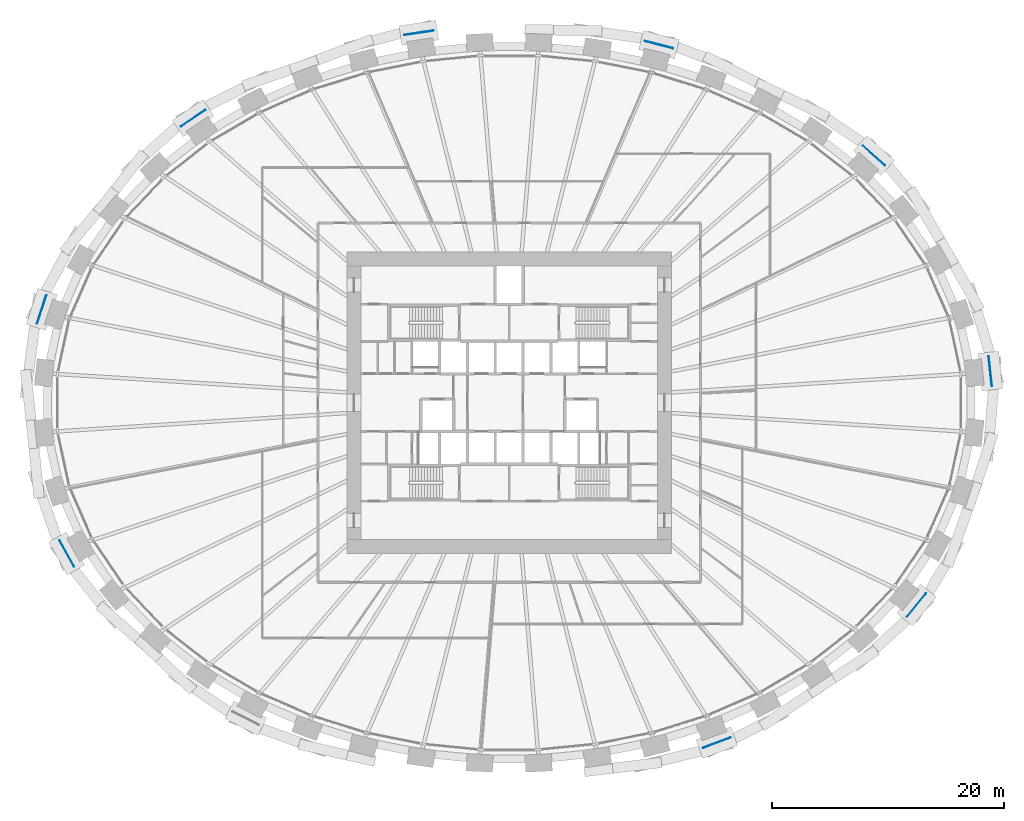
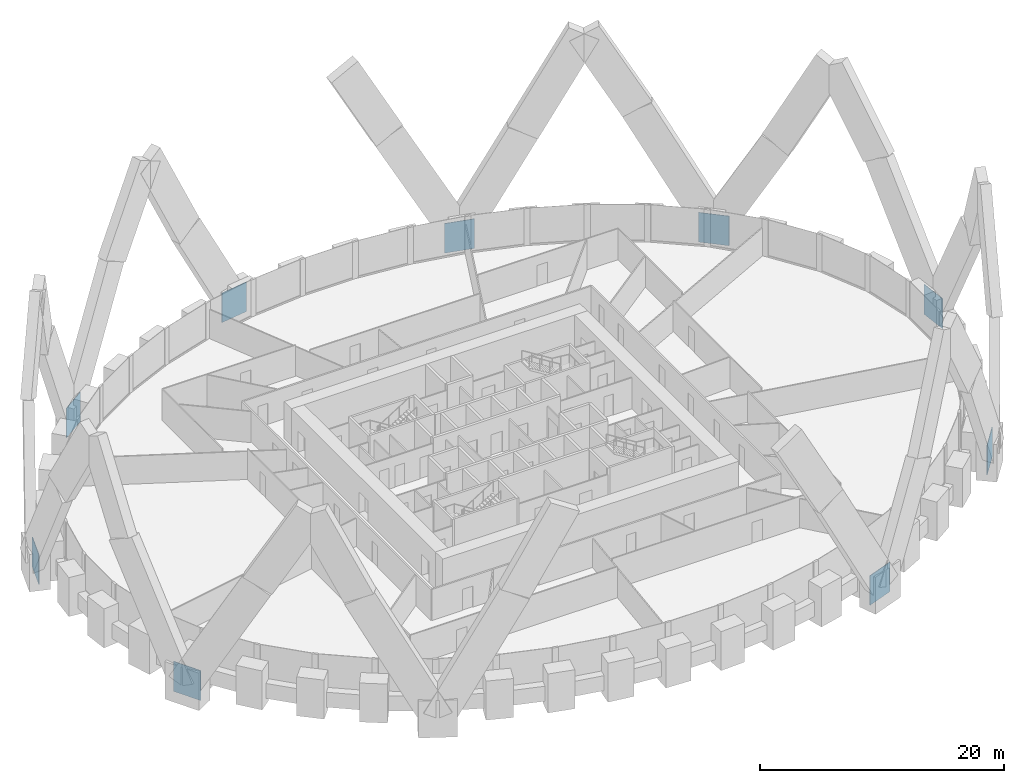
# One storey, part 12 of 13: 9 discrete accessories.
"""IFC4 building model written with IfcOpenShell, lengths in metres."""

from ifc_helpers import new_model, si_unit, direction, frame, origin, origin_2d, place, context, subcontext, project, spatial, rectangle, extrude, source, transform, mapped, material, type_object, element, save


model = new_model("IFC4")

# Units and contexts
model_context = context("Model", 3, precision=1e-05, world=origin(), true_north=direction((0.0, 1.0)))
body_context = subcontext(model_context, "Body", "Model", "MODEL_VIEW")
ifc_project = project(units=[si_unit("LENGTHUNIT", "METRE"), si_unit("AREAUNIT", "SQUARE_METRE"), si_unit("VOLUMEUNIT", "CUBIC_METRE"), si_unit("PLANEANGLEUNIT", "RADIAN"), si_unit("MASSUNIT", "GRAM", prefix="KILO")], contexts=[model_context])

# Site, building, storey
site_placement = place(None, origin())
site = spatial("IfcSite", under=ifc_project, at=site_placement, CompositionType="ELEMENT")
building_placement = place(site_placement, origin())
building = spatial("IfcBuilding", under=site, at=building_placement, Name="Embergate Tower", CompositionType="ELEMENT")
storey_placement = place(building_placement, frame((0.0, 0.0, 105.5)))
storey = spatial("IfcBuildingStorey", under=building, at=storey_placement, Name="L22", CompositionType="ELEMENT", Elevation=105.5)

# Discrete accessories
ifc_material = material(Name="Steel Q355D plate", Category="steel")
discrete_accessory_type = type_object("IfcDiscreteAccessoryType", Name="Lattice node plate", PredefinedType="USERDEFINED", material=ifc_material)
shared_shape_1 = source(origin(), body_context, "Body", "SweptSolid", [
    extrude(rectangle(XDim=2.56005859375, YDim=0.050048828125, at=origin_2d()), origin(), (0.0, 0.0, 1.0), 2.9599609375),
])
for number, where, z_axis, x_axis, name in (
    (1, (31.468017578125, 21.320068359375, -1.47998046875), (0.0, 0.0, 1.0), (-0.743063070206, 0.669221393633, 0.0), "Node plate"),
    (2, (12.923095703125, 30.89404296875, -1.47998046875), (0.0, 0.0, 1.0), (-0.969140624713, 0.24650851817, 0.0), "Node plate"),
    (3, (-7.801025390625, 31.922119140625, -1.47998046875), (0.0, 0.0, 1.0), (-0.989147039346, -0.146929011949, 0.0), "Node plate"),
    (4, (-27.27392578125, 24.56201171875, -1.47998046875), (0.0, 0.0, 1.0), (-0.828216862275, -0.560407734638, 0.0), "Node plate"),
    (5, (17.919921875, -29.337890625, -1.47998046875), (0.0, 0.0, 1.0), (0.93736713373, 0.348343015724, 0.0), "Node plate"),
):
    element("IfcDiscreteAccessory", number, at=place(storey_placement, frame(where, z_axis=z_axis, x_axis=x_axis)), inside=storey, type_object=discrete_accessory_type, Name=name, ObjectType="BRACKET", PredefinedType="USERDEFINED", context=body_context, shape_type="MappedRepresentation", body=[
        mapped(shared_shape_1, transform((0.0, 0.0, 0.0))),
    ])
shared_shape_2 = source(origin(), body_context, "Body", "SweptSolid", [
    extrude(rectangle(XDim=2.60009765625, YDim=0.050048828125, at=origin_2d()), origin(), (0.0, 0.0, 1.0), 3.0),
])
for number, where, z_axis, x_axis, name in (
    (6, (41.51806640625, 2.73095703125, -1.5), (0.0, 0.0, 1.0), (-0.106749983816, 0.99428589498, 0.0), "Node plate"),
    (7, (-40.347900390625, 8.052001953125, -1.5), (0.0, 0.0, 1.0), (-0.309946394413, -0.950754033697, 0.0), "Node plate"),
    (8, (-38.173095703125, -13.011962890625, -1.5), (0.0, 0.0, 1.0), (0.486823311018, -0.873500465855, 0.0), "Node plate"),
    (9, (35.15087890625, -17.4580078125, -1.5), (0.0, 0.0, 1.0), (0.630824786022, 0.775925311702, 0.0), "Node plate"),
):
    element("IfcDiscreteAccessory", number, at=place(storey_placement, frame(where, z_axis=z_axis, x_axis=x_axis)), inside=storey, type_object=discrete_accessory_type, Name=name, ObjectType="BRACKET", PredefinedType="USERDEFINED", context=body_context, shape_type="MappedRepresentation", body=[
        mapped(shared_shape_2, transform((0.0, 0.0, 0.0))),
    ])

save(model, "model.ifc")
